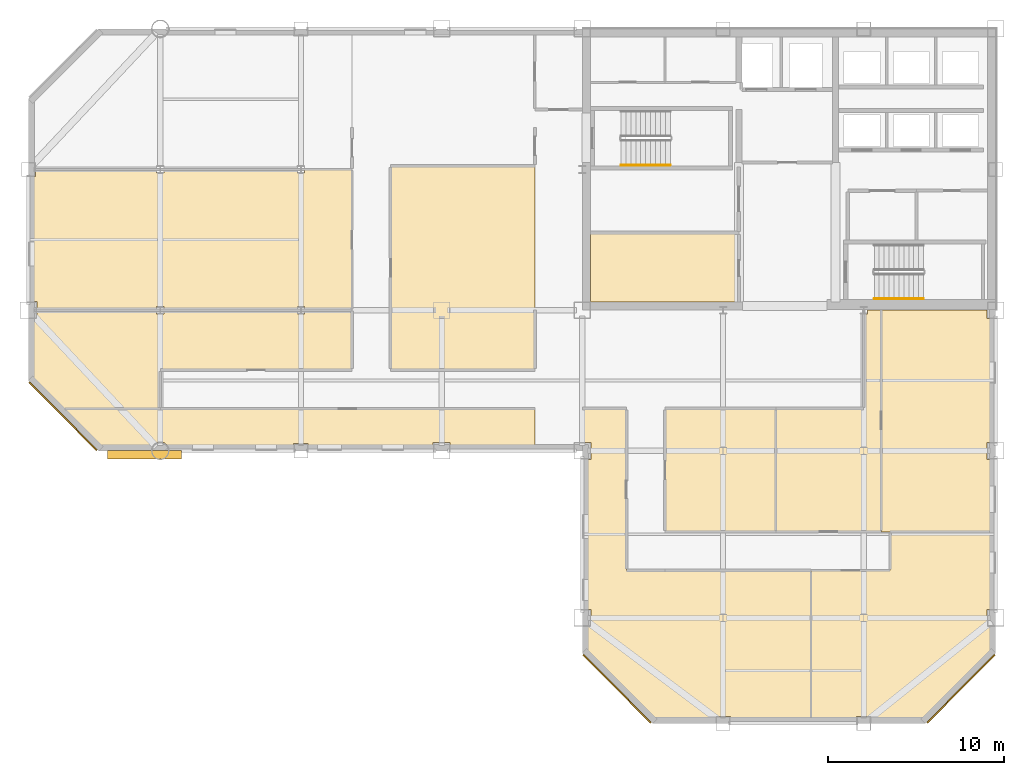
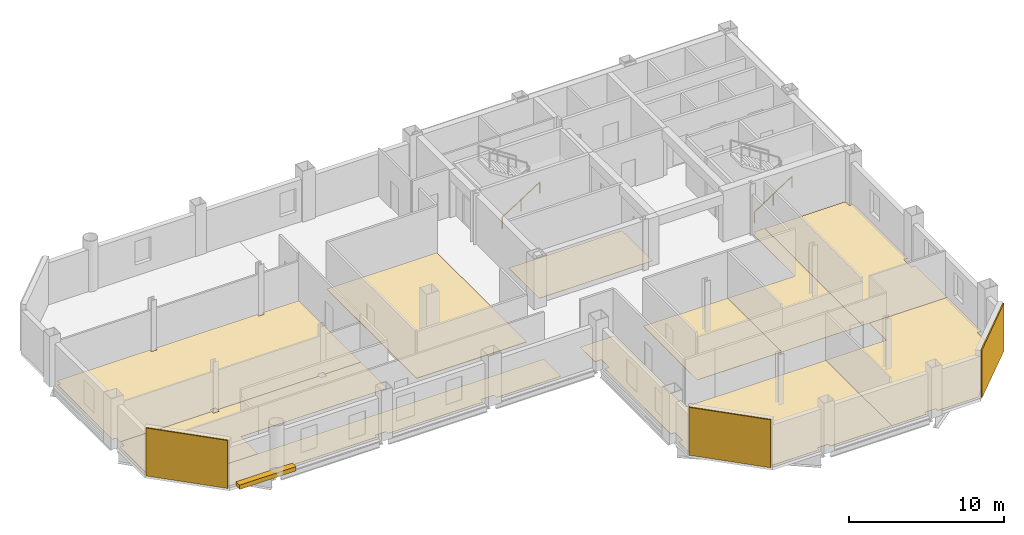
# One storey, part 7 of 10: 13 coverings, 2 railings, 1 shading device.
"""IFC4 building model written with IfcOpenShell, lengths in metres."""

from ifc_helpers import new_model, si_unit, direction, frame, origin, origin_2d, place, context, subcontext, project, spatial, polyline, rectangle, circle, outline, extrude, material, layer, layer_set, type_object, element, save


model = new_model("IFC4")

# Units and contexts
model_context = context("Model", 3, precision=1e-05, world=origin(), true_north=direction((0.0, 1.0)))
body_context = subcontext(model_context, "Body", "Model", "MODEL_VIEW")
ifc_project = project(units=[si_unit("LENGTHUNIT", "METRE"), si_unit("AREAUNIT", "SQUARE_METRE"), si_unit("VOLUMEUNIT", "CUBIC_METRE"), si_unit("PLANEANGLEUNIT", "RADIAN"), si_unit("MASSUNIT", "GRAM", prefix="KILO")], contexts=[model_context])

# Site, building, storey
site_placement = place(None, origin())
site = spatial("IfcSite", under=ifc_project, at=site_placement, CompositionType="ELEMENT")
building_placement = place(site_placement, origin())
building = spatial("IfcBuilding", under=site, at=building_placement, Name="Qianrong Seaharbour Tower", CompositionType="ELEMENT")
storey_placement = place(building_placement, frame((0.0, 0.0, 249.800048828125)))
storey = spatial("IfcBuildingStorey", under=building, at=storey_placement, Name="L60", CompositionType="ELEMENT", Elevation=249.800048828125)

# Coverings
ifc_material_1 = material(Name="Unitised red brick cladding on Precast concrete C45/55", Category="masonry")
ifc_layer_1 = layer(ifc_material_1, 0.080078125)
ifc_layer_set_1 = layer_set([ifc_layer_1], Name="Unitised red brick cladding on Precast concrete C45/55")
covering_type_1 = type_object("IfcCoveringType", Name="COV-CLAD-RED-BRICK-80", PredefinedType="CLADDING", material=ifc_layer_set_1)
for number, where, z_axis, x_axis, name in (
    (1, (10.9716796875, 29.9716796875, 0.0), (0.0, 0.0, 1.0), (-0.707106781187, 0.707106781187, 0.0), "L60 Chamfer Corner Brick Cladding 02"),
    (2, (62.0283203125, 14.4716796875, 0.0), (0.0, 0.0, 1.0), (-0.707106781187, -0.707106781187, 0.0), "L60 Chamfer Corner Brick Cladding 07"),
    (3, (42.4716796875, 14.4716796875, 0.0), (0.0, 0.0, 1.0), (-0.707106781187, 0.707106781187, 0.0), "L60 Chamfer Corner Brick Cladding 09"),
):
    element("IfcCovering", number, at=place(storey_placement, frame(where, z_axis=z_axis, x_axis=x_axis)), inside=storey, type_object=covering_type_1, Name=name, PredefinedType="CLADDING", context=body_context, shape_type="SweptSolid", body=[
        extrude(rectangle(XDim=5.456787109375, YDim=0.080078125, at=origin_2d()), origin(), (0.0, 0.0, 1.0), 3.77490234375),
    ])
ifc_material_2 = material(Name="Acoustic modular carpet tile flooring")
ifc_layer_2 = layer(ifc_material_2, 0.02001953125)
ifc_layer_set_2 = layer_set([ifc_layer_2], Name="Acoustic modular carpet tile flooring")
covering_type_2 = type_object("IfcCoveringType", Name="COV-FLOOR-CARPET-20", PredefinedType="FLOORING", material=ifc_layer_set_2)
covering_1_placement = place(storey_placement, origin())
element("IfcCovering", 4, at=covering_1_placement, inside=storey, type_object=covering_type_2, Name="L60 Corporate Archive Room Finish Flooring", PredefinedType="FLOORING", context=body_context, shape_type="SweptSolid", body=[
    extrude(outline(polyline([(49.39990234375, 40.39990234375), (49.39990234375, 36.4599609375), (40.985107421875, 36.4599609375), (40.985107421875, 36.485107421875), (40.9599609375, 36.485107421875), (40.9599609375, 40.39990234375), (49.39990234375, 40.39990234375)])), origin(), (0.0, 0.0, 1.0), 0.02001953125),
])
covering_2_placement = place(storey_placement, origin())
element("IfcCovering", 5, at=covering_2_placement, inside=storey, type_object=covering_type_2, Name="L60 Harbour Sunset Lounge 1 Finish Flooring", PredefinedType="FLOORING", context=body_context, shape_type="SweptSolid", body=[
    extrude(outline(polyline([(16.5, 32.60009765625), (16.5, 30.39990234375), (10.847412109375, 30.39990234375), (9.175048828125, 32.072509765625), (9.175048828125, 35.514892578125), (9.485107421875, 35.514892578125), (9.485107421875, 36.0), (16.2900390625, 36.0), (16.2900390625, 35.7900390625), (16.7099609375, 35.7900390625), (16.7099609375, 36.0), (24.2900390625, 36.0), (24.2900390625, 35.7900390625), (24.7099609375, 35.7900390625), (24.7099609375, 36.0), (27.39990234375, 36.0), (27.39990234375, 32.60009765625), (16.5, 32.60009765625)])), origin(), (0.0, 0.0, 1.0), 0.02001953125),
])
covering_3_placement = place(storey_placement, origin())
element("IfcCovering", 6, at=covering_3_placement, inside=storey, type_object=covering_type_2, Name="L60 Barista Coffee Pantry 2 Finish Flooring", PredefinedType="FLOORING", context=body_context, shape_type="SweptSolid", body=[
    extrude(outline(polyline([(24.7099609375, 36.0), (24.7099609375, 36.2099609375), (24.2900390625, 36.2099609375), (24.2900390625, 36.0), (16.7099609375, 36.0), (16.7099609375, 36.2099609375), (16.2900390625, 36.2099609375), (16.2900390625, 36.0), (9.485107421875, 36.0), (9.485107421875, 36.485107421875), (9.175048828125, 36.485107421875), (9.175048828125, 43.590087890625), (9.409912109375, 43.590087890625), (9.409912109375, 44.0), (16.2900390625, 44.0), (16.2900390625, 43.7900390625), (16.7099609375, 43.7900390625), (16.7099609375, 44.0), (24.2900390625, 44.0), (24.2900390625, 43.7900390625), (24.7099609375, 43.7900390625), (24.7099609375, 44.0), (27.39990234375, 44.0), (27.39990234375, 36.0), (24.7099609375, 36.0)])), origin(), (0.0, 0.0, 1.0), 0.02001953125),
])
covering_4_placement = place(storey_placement, origin())
element("IfcCovering", 7, at=covering_4_placement, inside=storey, type_object=covering_type_2, Name="L60 Catering Servery Kitchen 2 Finish Flooring", PredefinedType="FLOORING", context=body_context, shape_type="SweptSolid", body=[
    extrude(outline(polyline([(56.5, 30.39990234375), (56.5, 35.7900390625), (56.7099609375, 35.7900390625), (56.7099609375, 36.0), (57.5, 36.0), (57.5, 23.39990234375), (51.5, 23.39990234375), (51.5, 30.39990234375), (56.5, 30.39990234375)])), origin(), (0.0, 0.0, 1.0), 0.02001953125),
])
covering_5_placement = place(storey_placement, origin())
element("IfcCovering", 8, at=covering_5_placement, inside=storey, type_object=covering_type_2, Name="L60 Staff Lounge 3 Finish Flooring", PredefinedType="FLOORING", context=body_context, shape_type="SweptSolid", body=[
    extrude(outline(polyline([(63.514892578125, 36.0), (63.514892578125, 35.514892578125), (63.824951171875, 35.514892578125), (63.824951171875, 28.485107421875), (63.514892578125, 28.485107421875), (63.514892578125, 27.514892578125), (63.824951171875, 27.514892578125), (63.824951171875, 23.39990234375), (57.5, 23.39990234375), (57.5, 36.0), (63.514892578125, 36.0)])), origin(), (0.0, 0.0, 1.0), 0.02001953125),
])
covering_6_placement = place(storey_placement, origin())
element("IfcCovering", 9, at=covering_6_placement, inside=storey, type_object=covering_type_2, Name="L60 Wet Pantry 1 Finish Flooring", PredefinedType="FLOORING", context=body_context, shape_type="SweptSolid", body=[
    extrude(outline(polyline([(32.985107421875, 28.175048828125), (32.985107421875, 28.485107421875), (32.014892578125, 28.485107421875), (32.014892578125, 28.175048828125), (24.909912109375, 28.175048828125), (24.909912109375, 28.409912109375), (24.090087890625, 28.409912109375), (24.090087890625, 28.175048828125), (16.977294921875, 28.175048828125), (16.97119140625, 28.1953125), (16.924072265625, 28.283203125), (16.860595703125, 28.360595703125), (16.783203125, 28.424072265625), (16.6953125, 28.47119140625), (16.599609375, 28.500244140625), (16.5, 28.510009765625), (16.400390625, 28.500244140625), (16.3046875, 28.47119140625), (16.216796875, 28.424072265625), (16.139404296875, 28.360595703125), (16.075927734375, 28.283203125), (16.02880859375, 28.1953125), (16.022705078125, 28.175048828125), (13.072509765625, 28.175048828125), (10.847412109375, 30.39990234375), (37.800048828125, 30.39990234375), (37.800048828125, 28.175048828125), (32.985107421875, 28.175048828125)])), origin(), (0.0, 0.0, 1.0), 0.02001953125),
])
covering_7_placement = place(storey_placement, origin())
element("IfcCovering", 10, at=covering_7_placement, inside=storey, type_object=covering_type_2, Name="L60 South View Lounge 1 Finish Flooring", PredefinedType="FLOORING", context=body_context, shape_type="SweptSolid", body=[
    extrude(outline(polyline([(43.0, 21.199951171875), (53.5, 21.199951171875), (53.5, 12.675048828125), (48.909912109375, 12.675048828125), (48.909912109375, 12.909912109375), (48.090087890625, 12.909912109375), (48.090087890625, 12.675048828125), (44.572509765625, 12.675048828125), (40.675048828125, 16.572509765625), (40.675048828125, 18.014892578125), (40.985107421875, 18.014892578125), (40.985107421875, 18.985107421875), (40.675048828125, 18.985107421875), (40.675048828125, 27.514892578125), (40.985107421875, 27.514892578125), (40.985107421875, 28.485107421875), (40.5, 28.485107421875), (40.5, 30.39990234375), (43.0, 30.39990234375), (43.0, 21.199951171875)])), origin(), (0.0, 0.0, 1.0), 0.02001953125),
])
covering_8_placement = place(storey_placement, origin())
element("IfcCovering", 11, at=covering_8_placement, inside=storey, type_object=covering_type_2, Name="L60 Tea Servery Pantry 2 Finish Flooring", PredefinedType="FLOORING", context=body_context, shape_type="SweptSolid", body=[
    extrude(outline(polyline([(59.927490234375, 12.675048828125), (56.909912109375, 12.675048828125), (56.909912109375, 12.909912109375), (56.090087890625, 12.909912109375), (56.090087890625, 12.675048828125), (53.5, 12.675048828125), (53.5, 21.199951171875), (58.0, 21.199951171875), (58.0, 23.39990234375), (63.824951171875, 23.39990234375), (63.824951171875, 18.985107421875), (63.514892578125, 18.985107421875), (63.514892578125, 18.014892578125), (63.824951171875, 18.014892578125), (63.824951171875, 16.572509765625), (59.927490234375, 12.675048828125)])), origin(), (0.0, 0.0, 1.0), 0.02001953125),
])
ifc_material_3 = material(Name="Honed granite stone flooring", Category="masonry")
ifc_layer_3 = layer(ifc_material_3, 0.030029296875)
ifc_layer_set_3 = layer_set([ifc_layer_3], Name="Honed granite stone flooring")
covering_type_3 = type_object("IfcCoveringType", Name="COV-FLOOR-GRANITE-30", PredefinedType="FLOORING", material=ifc_layer_set_3)
covering_9_placement = place(storey_placement, origin())
element("IfcCovering", 12, at=covering_9_placement, inside=storey, type_object=covering_type_3, Name="L60 East Harbour Dining Salon 1 Finish Flooring", PredefinedType="FLOORING", context=body_context, shape_type="SweptSolid", body=[
    extrude(outline(polyline([(51.5, 30.39990234375), (51.5, 23.39990234375), (45.199951171875, 23.39990234375), (45.199951171875, 30.39990234375), (51.5, 30.39990234375)])), origin(), (0.0, 0.0, 1.0), 0.030029296875),
])
ifc_material_4 = material(Name="Calcium-sulphate raised access floor tile")
ifc_layer_4 = layer(ifc_material_4, 0.044921875)
ifc_layer_set_4 = layer_set([ifc_layer_4], Name="Calcium-sulphate raised access floor tile")
covering_type_4 = type_object("IfcCoveringType", Name="COV-FLOOR-RAISED-45", PredefinedType="FLOORING", material=ifc_layer_set_4)
covering_10_placement = place(storey_placement, origin())
element("IfcCovering", 13, at=covering_10_placement, inside=storey, type_object=covering_type_4, Name="L60 East Wing Open-Plan Office Finish Flooring", PredefinedType="FLOORING", context=body_context, shape_type="SweptSolid", body=[
    extrude(outline(polyline([(29.60009765625, 44.199951171875), (37.800048828125, 44.199951171875), (37.800048828125, 32.60009765625), (29.60009765625, 32.60009765625), (29.60009765625, 44.199951171875)])), origin(), (0.0, 0.0, 1.0), 0.044921875),
])

# Railings
ifc_material_5 = material(Name="Stainless steel SUS316L continuous handrail", Category="steel")
railing_type = type_object("IfcRailingType", Name="RAIL-STAIR-HANDRAIL-900", PredefinedType="HANDRAIL", material=ifc_material_5)
railing_1_placement = place(storey_placement, frame((42.699951171875, 44.25, 0.181884765625)))
element("IfcRailing", 14, at=railing_1_placement, inside=storey, type_object=railing_type, Name="L60 ST-1 stair handrail 1", PredefinedType="HANDRAIL", context=body_context, shape_type="SweptSolid", body=[
    extrude(circle(Radius=0.02392578125, at=origin_2d()), frame((0.0, 0.0, 0.8759765625), z_axis=(0.838705829183, 0.0, 0.544584733623), x_axis=(0.0, 1.0, 0.0)), (0.0, 0.0, 1.0), 3.338623046875),
    extrude(circle(Radius=0.02099609375, at=origin_2d()), origin(), (0.0, 0.0, 1.0), 0.851806640625),
    extrude(circle(Radius=0.02099609375, at=origin_2d()), frame((1.39990234375, 0.0, 0.9091796875)), (0.0, 0.0, 1.0), 0.851806640625),
    extrude(circle(Radius=0.02099609375, at=origin_2d()), frame((2.800048828125, 0.0, 1.818115234375)), (0.0, 0.0, 1.0), 0.851806640625),
])
railing_2_placement = place(storey_placement, frame((57.10009765625, 36.64990234375, 0.181884765625)))
element("IfcRailing", 15, at=railing_2_placement, inside=storey, type_object=railing_type, Name="L60 ST-2 stair handrail 1", PredefinedType="HANDRAIL", context=body_context, shape_type="SweptSolid", body=[
    extrude(circle(Radius=0.02392578125, at=origin_2d()), frame((0.0, 0.0, 0.8759765625), z_axis=(0.83868413941, 0.0, 0.544618136222), x_axis=(0.0, 1.0, 0.0)), (0.0, 0.0, 1.0), 3.33837890625),
    extrude(circle(Radius=0.02099609375, at=origin_2d()), origin(), (0.0, 0.0, 1.0), 0.851806640625),
    extrude(circle(Radius=0.02099609375, at=origin_2d()), frame((1.39990234375, 0.0, 0.9091796875)), (0.0, 0.0, 1.0), 0.851806640625),
    extrude(circle(Radius=0.02099609375, at=origin_2d()), frame((2.7998046875, 0.0, 1.818115234375)), (0.0, 0.0, 1.0), 0.851806640625),
])

# Shading device
ifc_material_6 = material(Name="White architectural precast concrete C45/55", Category="concrete")
shading_device_type = type_object("IfcShadingDeviceType", Name="SHD-SUNSHADE-WHITE-320", PredefinedType="AWNING", material=ifc_material_6)
shading_device_placement = place(storey_placement, frame((15.60009765625, 27.780029296875, -0.02001953125), z_axis=(0.0, 0.0, 1.0), x_axis=(1.0, 0.0, 0.0)))
element("IfcShadingDevice", 16, at=shading_device_placement, inside=storey, type_object=shading_device_type, Name="L60 Climbing White Precast Ribbon Canopy Fin", PredefinedType="AWNING", context=body_context, shape_type="SweptSolid", body=[
    extrude(rectangle(XDim=4.199951171875, YDim=0.4599609375, at=origin_2d()), origin(), (0.0, 0.0, 1.0), 0.340087890625),
])

save(model, "model.ifc")
